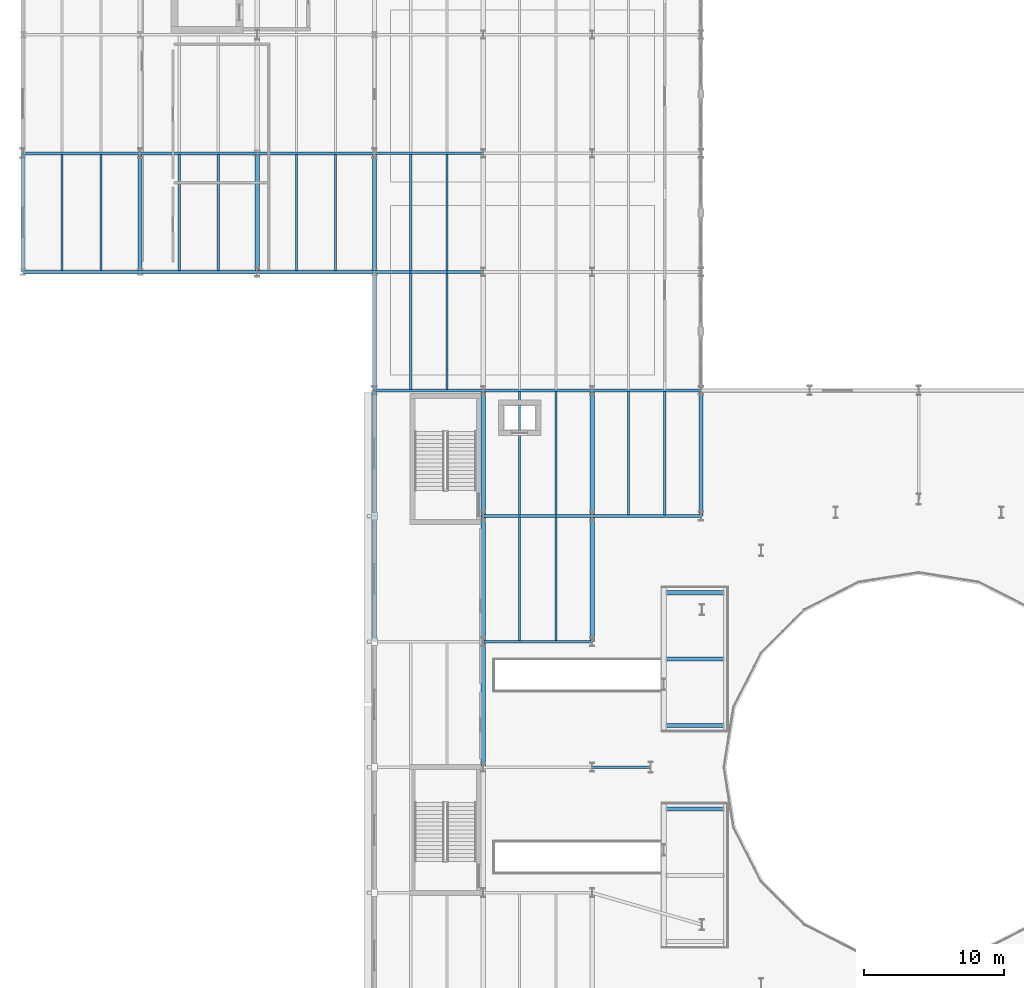
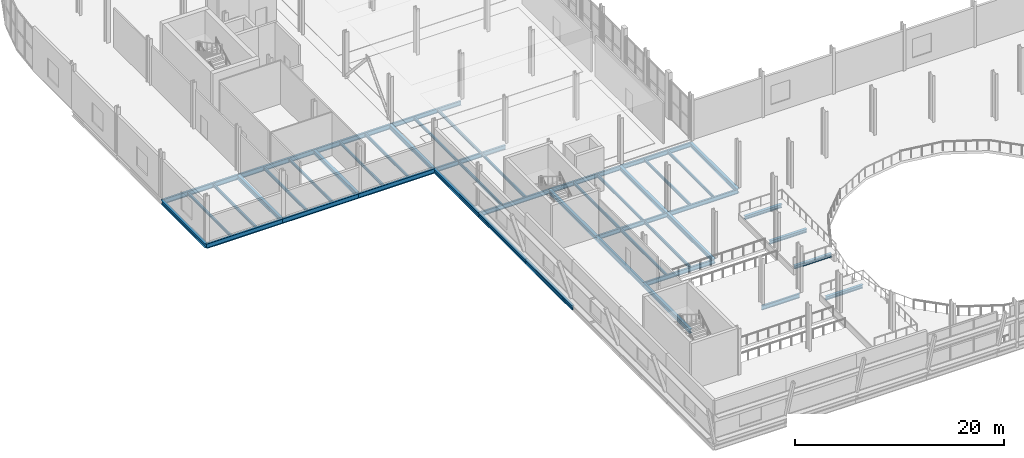
# One storey, part 18 of 78: 48 beams.
"""IFC4 building model written with IfcOpenShell, lengths in metres."""

from ifc_helpers import new_model, si_unit, direction, frame, origin, origin_2d, place, context, subcontext, project, spatial, i_section, extrude, material, material_profile, profile_set, type_object, element, save


model = new_model("IFC4")

# Units and contexts
model_context = context("Model", 3, precision=1e-05, world=origin(), true_north=direction((0.0, 1.0)))
body_context = subcontext(model_context, "Body", "Model", "MODEL_VIEW")
ifc_project = project(units=[si_unit("LENGTHUNIT", "METRE"), si_unit("AREAUNIT", "SQUARE_METRE"), si_unit("VOLUMEUNIT", "CUBIC_METRE"), si_unit("PLANEANGLEUNIT", "RADIAN"), si_unit("MASSUNIT", "GRAM", prefix="KILO")], contexts=[model_context])

# Site, building, storey
site_placement = place(None, origin())
site = spatial("IfcSite", under=ifc_project, at=site_placement, CompositionType="ELEMENT")
building_placement = place(site_placement, origin())
building = spatial("IfcBuilding", under=site, at=building_placement, Name="Sefraquen Railside Congress Hotel", CompositionType="ELEMENT")
storey_placement = place(building_placement, frame((0.0, 0.0, 6.0)))
storey = spatial("IfcBuildingStorey", under=building, at=storey_placement, Name="L01", CompositionType="ELEMENT", Elevation=6.0)

# Beams
ifc_material = material(Name="Steel S355JR", Category="steel")
ifc_material_profile_1 = material_profile(ifc_material, i_section(OverallWidth=0.300048828125, OverallDepth=0.389892578125, WebThickness=0.010986328125, FlangeThickness=0.01904296875, FilletRadius=0.027099609375, at=origin_2d()), Name="HEA 400")
ifc_profile_set_1 = profile_set([ifc_material_profile_1], Name="Steel S355JR")
beam_type_1 = type_object("IfcBeamType", Name="TB-BM-400", PredefinedType="BEAM", material=ifc_profile_set_1)
for number, where, z_axis, x_axis, name in (
    (1, (46.125, 24.0, 0.544921875), (1.0, 0.0, 0.0), (0.0, 1.0, 0.0), "Congress Upper Tier RAKER beam L01-01B"),
    (2, (46.125, 30.0, 0.544921875), (1.0, 0.0, 0.0), (0.0, 1.0, 0.0), "Congress Upper Tier RAKER beam L01-02A"),
    (3, (46.125, 34.75, 0.544921875), (1.0, 0.0, 0.0), (0.0, 1.0, 0.0), "Congress Upper Tier RAKER beam L01-02M"),
    (4, (46.125, 39.5, 0.544921875), (1.0, 0.0, 0.0), (0.0, 1.0, 0.0), "Congress Upper Tier RAKER beam L01-02B"),
):
    element("IfcBeam", number, at=place(storey_placement, frame(where, z_axis=z_axis, x_axis=x_axis)), inside=storey, type_object=beam_type_1, Name=name, PredefinedType="BEAM", context=body_context, shape_type="SweptSolid", body=[
        extrude(i_section(OverallWidth=0.300048828125, OverallDepth=0.389892578125, WebThickness=0.010986328125, FlangeThickness=0.01904296875, FilletRadius=0.027099609375, at=origin_2d()), origin(), (0.0, 0.0, 1.0), 4.10009765625),
    ])
ifc_material_profile_2 = material_profile(ifc_material, i_section(OverallWidth=0.199951171875, OverallDepth=0.5, WebThickness=0.01025390625, FlangeThickness=0.01611328125, FilletRadius=0.02099609375, at=origin_2d()), Name="IPE 500")
ifc_profile_set_2 = profile_set([ifc_material_profile_2], Name="Steel S355JR")
beam_type_2 = type_object("IfcBeamType", Name="TB-BM-500", PredefinedType="BEAM", material=ifc_profile_set_2)
beam_1_placement = place(storey_placement, frame((40.800048828125, 27.0, -0.550048828125), z_axis=(1.0, 0.0, 0.0), x_axis=(0.0, 1.0, 0.0)))
element("IfcBeam", 5, at=beam_1_placement, inside=storey, type_object=beam_type_2, Name="Primary girder BM-L01-0367", PredefinedType="BEAM", context=body_context, shape_type="SweptSolid", body=[
    extrude(i_section(OverallWidth=0.199951171875, OverallDepth=0.5, WebThickness=0.01025390625, FlangeThickness=0.01611328125, FilletRadius=0.02099609375, at=origin_2d()), origin(), (0.0, 0.0, 1.0), 4.199951171875),
])
for number, where, z_axis, x_axis, name in (
    (6, (33.0, 36.0, -0.550048828125), (1.0, 0.0, 0.0), (0.0, 1.0, 0.0), "Primary girder BM-L01-0373"),
    (7, (33.0, 45.0, -0.550048828125), (1.0, 0.0, 0.0), (0.0, 1.0, 0.0), "Primary girder BM-L01-0382"),
    (8, (40.800048828125, 45.0, -0.550048828125), (1.0, 0.0, 0.0), (0.0, 1.0, 0.0), "Primary girder BM-L01-0383"),
    (9, (25.199951171875, 54.0, -0.550048828125), (1.0, 0.0, 0.0), (0.0, 1.0, 0.0), "Primary girder BM-L01-0392"),
    (10, (33.0, 54.0, -0.550048828125), (1.0, 0.0, 0.0), (0.0, 1.0, 0.0), "Primary girder BM-L01-0393"),
    (11, (40.800048828125, 54.0, -0.550048828125), (1.0, 0.0, 0.0), (0.0, 1.0, 0.0), "Primary girder BM-L01-0394"),
    (12, (25.199951171875, 62.5, -0.550048828125), (1.0, 0.0, 0.0), (0.0, 1.0, 0.0), "Primary girder BM-L01-0413"),
    (13, (25.199951171875, 71.0, -0.550048828125), (1.0, 0.0, 0.0), (0.0, 1.0, 0.0), "Primary girder BM-L01-0422"),
):
    element("IfcBeam", number, at=place(storey_placement, frame(where, z_axis=z_axis, x_axis=x_axis)), inside=storey, type_object=beam_type_2, Name=name, PredefinedType="BEAM", context=body_context, shape_type="SweptSolid", body=[
        extrude(i_section(OverallWidth=0.199951171875, OverallDepth=0.5, WebThickness=0.01025390625, FlangeThickness=0.01611328125, FilletRadius=0.02099609375, at=origin_2d()), origin(), (0.0, 0.0, 1.0), 7.800048828125),
    ])
ifc_material_profile_3 = material_profile(ifc_material, i_section(OverallWidth=0.300048828125, OverallDepth=0.489990234375, WebThickness=0.011962890625, FlangeThickness=0.02294921875, FilletRadius=0.027099609375, at=origin_2d()), Name="HEA 500")
ifc_profile_set_3 = profile_set([ifc_material_profile_3], Name="Steel S355JR")
beam_type_3 = type_object("IfcBeamType", Name="TB-GIR-500", PredefinedType="T_BEAM", material=ifc_profile_set_3)
for number, where, z_axis, x_axis, name in (
    (14, (0.0, 62.5, -0.544921875), (0.0, 1.0, 0.0), (-1.0, 0.0, 0.0), "Floor beam BM-L01-0507"),
    (15, (8.39990234375, 62.5, -0.544921875), (0.0, 1.0, 0.0), (-1.0, 0.0, 0.0), "Floor beam BM-L01-0510"),
    (16, (16.800048828125, 62.5, -0.544921875), (0.0, 1.0, 0.0), (-1.0, 0.0, 0.0), "Floor beam BM-L01-0516"),
):
    element("IfcBeam", number, at=place(storey_placement, frame(where, z_axis=z_axis, x_axis=x_axis)), inside=storey, type_object=beam_type_3, Name=name, PredefinedType="T_BEAM", context=body_context, shape_type="SweptSolid", body=[
        extrude(i_section(OverallWidth=0.300048828125, OverallDepth=0.489990234375, WebThickness=0.011962890625, FlangeThickness=0.02294921875, FilletRadius=0.027099609375, at=origin_2d()), origin(), (0.0, 0.0, 1.0), 8.5),
    ])
for number, where, z_axis, x_axis, name in (
    (17, (25.199951171875, 36.0, -0.544921875), (0.0, 1.0, 0.0), (-1.0, 0.0, 0.0), "Floor beam BM-L01-0525"),
    (18, (25.199951171875, 45.0, -0.544921875), (0.0, 1.0, 0.0), (-1.0, 0.0, 0.0), "Floor beam BM-L01-0526"),
):
    element("IfcBeam", number, at=place(storey_placement, frame(where, z_axis=z_axis, x_axis=x_axis)), inside=storey, type_object=beam_type_3, Name=name, PredefinedType="T_BEAM", context=body_context, shape_type="SweptSolid", body=[
        extrude(i_section(OverallWidth=0.300048828125, OverallDepth=0.489990234375, WebThickness=0.011962890625, FlangeThickness=0.02294921875, FilletRadius=0.027099609375, at=origin_2d()), origin(), (0.0, 0.0, 1.0), 9.0),
    ])
for number, where, z_axis, x_axis, name in (
    (19, (25.199951171875, 54.0, -0.544921875), (0.0, 1.0, 0.0), (-1.0, 0.0, 0.0), "Floor beam BM-L01-0527"),
    (20, (25.199951171875, 62.5, -0.544921875), (0.0, 1.0, 0.0), (-1.0, 0.0, 0.0), "Floor beam BM-L01-0528"),
):
    element("IfcBeam", number, at=place(storey_placement, frame(where, z_axis=z_axis, x_axis=x_axis)), inside=storey, type_object=beam_type_3, Name=name, PredefinedType="T_BEAM", context=body_context, shape_type="SweptSolid", body=[
        extrude(i_section(OverallWidth=0.300048828125, OverallDepth=0.489990234375, WebThickness=0.011962890625, FlangeThickness=0.02294921875, FilletRadius=0.027099609375, at=origin_2d()), origin(), (0.0, 0.0, 1.0), 8.5),
    ])
for number, where, z_axis, x_axis, name in (
    (21, (33.0, 27.0, -0.544921875), (0.0, 1.0, 0.0), (-1.0, 0.0, 0.0), "Floor beam BM-L01-0537"),
    (22, (33.0, 36.0, -0.544921875), (0.0, 1.0, 0.0), (-1.0, 0.0, 0.0), "Floor beam BM-L01-0538"),
    (23, (33.0, 45.0, -0.544921875), (0.0, 1.0, 0.0), (-1.0, 0.0, 0.0), "Floor beam BM-L01-0539"),
    (24, (40.800048828125, 36.0, -0.544921875), (0.0, 1.0, 0.0), (-1.0, 0.0, 0.0), "Floor beam BM-L01-0549"),
    (25, (40.800048828125, 45.0, -0.544921875), (0.0, 1.0, 0.0), (-1.0, 0.0, 0.0), "Floor beam BM-L01-0550"),
    (26, (48.60009765625, 45.0, -0.544921875), (0.0, 1.0, 0.0), (-1.0, 0.0, 0.0), "Floor beam BM-L01-0559"),
):
    element("IfcBeam", number, at=place(storey_placement, frame(where, z_axis=z_axis, x_axis=x_axis)), inside=storey, type_object=beam_type_3, Name=name, PredefinedType="T_BEAM", context=body_context, shape_type="SweptSolid", body=[
        extrude(i_section(OverallWidth=0.300048828125, OverallDepth=0.489990234375, WebThickness=0.011962890625, FlangeThickness=0.02294921875, FilletRadius=0.027099609375, at=origin_2d()), origin(), (0.0, 0.0, 1.0), 9.0),
    ])
ifc_material_profile_4 = material_profile(ifc_material, i_section(OverallWidth=0.2099609375, OverallDepth=0.550048828125, WebThickness=0.010986328125, FlangeThickness=0.01708984375, FilletRadius=0.02392578125, at=origin_2d()), Name="IPE 550")
ifc_profile_set_4 = profile_set([ifc_material_profile_4], Name="Steel S355JR")
beam_type_4 = type_object("IfcBeamType", Name="TB-GIR-550", PredefinedType="T_BEAM", material=ifc_profile_set_4)
beam_2_placement = place(storey_placement, frame((0.0, 62.5, -0.574951171875), z_axis=(1.0, 0.0, 0.0), x_axis=(0.0, 1.0, 0.0)))
element("IfcBeam", 27, at=beam_2_placement, inside=storey, type_object=beam_type_4, Name="Primary girder BM-L01-0410", PredefinedType="T_BEAM", context=body_context, shape_type="SweptSolid", body=[
    extrude(i_section(OverallWidth=0.2099609375, OverallDepth=0.550048828125, WebThickness=0.010986328125, FlangeThickness=0.01708984375, FilletRadius=0.02392578125, at=origin_2d()), origin(), (0.0, 0.0, 1.0), 8.39990234375),
])
beam_3_placement = place(storey_placement, frame((8.39990234375, 62.5, -0.574951171875), z_axis=(1.0, 0.0, 0.0), x_axis=(0.0, 1.0, 0.0)))
element("IfcBeam", 28, at=beam_3_placement, inside=storey, type_object=beam_type_4, Name="Primary girder BM-L01-0411", PredefinedType="T_BEAM", context=body_context, shape_type="SweptSolid", body=[
    extrude(i_section(OverallWidth=0.2099609375, OverallDepth=0.550048828125, WebThickness=0.010986328125, FlangeThickness=0.01708984375, FilletRadius=0.02392578125, at=origin_2d()), origin(), (0.0, 0.0, 1.0), 8.400146484375),
])
for number, where, z_axis, x_axis, name in (
    (29, (16.800048828125, 62.5, -0.574951171875), (1.0, 0.0, 0.0), (0.0, 1.0, 0.0), "Primary girder BM-L01-0412"),
    (30, (0.0, 71.0, -0.574951171875), (1.0, 0.0, 0.0), (0.0, 1.0, 0.0), "Primary girder BM-L01-0419"),
):
    element("IfcBeam", number, at=place(storey_placement, frame(where, z_axis=z_axis, x_axis=x_axis)), inside=storey, type_object=beam_type_4, Name=name, PredefinedType="T_BEAM", context=body_context, shape_type="SweptSolid", body=[
        extrude(i_section(OverallWidth=0.2099609375, OverallDepth=0.550048828125, WebThickness=0.010986328125, FlangeThickness=0.01708984375, FilletRadius=0.02392578125, at=origin_2d()), origin(), (0.0, 0.0, 1.0), 8.39990234375),
    ])
beam_4_placement = place(storey_placement, frame((8.39990234375, 71.0, -0.574951171875), z_axis=(1.0, 0.0, 0.0), x_axis=(0.0, 1.0, 0.0)))
element("IfcBeam", 31, at=beam_4_placement, inside=storey, type_object=beam_type_4, Name="Primary girder BM-L01-0420", PredefinedType="T_BEAM", context=body_context, shape_type="SweptSolid", body=[
    extrude(i_section(OverallWidth=0.2099609375, OverallDepth=0.550048828125, WebThickness=0.010986328125, FlangeThickness=0.01708984375, FilletRadius=0.02392578125, at=origin_2d()), origin(), (0.0, 0.0, 1.0), 8.400146484375),
])
beam_5_placement = place(storey_placement, frame((16.800048828125, 71.0, -0.574951171875), z_axis=(1.0, 0.0, 0.0), x_axis=(0.0, 1.0, 0.0)))
element("IfcBeam", 32, at=beam_5_placement, inside=storey, type_object=beam_type_4, Name="Primary girder BM-L01-0421", PredefinedType="T_BEAM", context=body_context, shape_type="SweptSolid", body=[
    extrude(i_section(OverallWidth=0.2099609375, OverallDepth=0.550048828125, WebThickness=0.010986328125, FlangeThickness=0.01708984375, FilletRadius=0.02392578125, at=origin_2d()), origin(), (0.0, 0.0, 1.0), 8.39990234375),
])
ifc_material_profile_5 = material_profile(ifc_material, i_section(OverallWidth=0.159912109375, OverallDepth=0.330078125, WebThickness=0.007568359375, FlangeThickness=0.011474609375, FilletRadius=0.01806640625, at=origin_2d()), Name="IPE 330")
ifc_profile_set_5 = profile_set([ifc_material_profile_5], Name="Steel S355JR")
beam_type_5 = type_object("IfcBeamType", Name="TB-JST-330", PredefinedType="JOIST", material=ifc_profile_set_5)
for number, where, z_axis, x_axis, name in (
    (33, (2.800048828125, 62.5849609375, -0.465087890625), (0.0, 1.0, 0.0), (-1.0, 0.0, 0.0), "Composite floor joist BM-L01-J0203"),
    (34, (5.60009765625, 62.5849609375, -0.465087890625), (0.0, 1.0, 0.0), (-1.0, 0.0, 0.0), "Composite floor joist BM-L01-J0204"),
    (35, (11.199951171875, 62.5849609375, -0.465087890625), (0.0, 1.0, 0.0), (-1.0, 0.0, 0.0), "Composite floor joist BM-L01-J0209"),
    (36, (14.0, 62.5849609375, -0.465087890625), (0.0, 1.0, 0.0), (-1.0, 0.0, 0.0), "Composite floor joist BM-L01-J0210"),
    (37, (19.60009765625, 62.5849609375, -0.465087890625), (0.0, 1.0, 0.0), (-1.0, 0.0, 0.0), "Composite floor joist BM-L01-J0217"),
    (38, (22.39990234375, 62.5849609375, -0.465087890625), (0.0, 1.0, 0.0), (-1.0, 0.0, 0.0), "Composite floor joist BM-L01-J0218"),
):
    element("IfcBeam", number, at=place(storey_placement, frame(where, z_axis=z_axis, x_axis=x_axis)), inside=storey, type_object=beam_type_5, Name=name, PredefinedType="JOIST", context=body_context, shape_type="SweptSolid", body=[
        extrude(i_section(OverallWidth=0.159912109375, OverallDepth=0.330078125, WebThickness=0.007568359375, FlangeThickness=0.011474609375, FilletRadius=0.01806640625, at=origin_2d()), origin(), (0.0, 0.0, 1.0), 8.330078125),
    ])
for number, where, z_axis, x_axis, name in (
    (39, (27.800048828125, 54.080078125, -0.465087890625), (0.0, 1.0, 0.0), (-1.0, 0.0, 0.0), "Composite floor joist BM-L01-J0234"),
    (40, (30.39990234375, 54.080078125, -0.465087890625), (0.0, 1.0, 0.0), (-1.0, 0.0, 0.0), "Composite floor joist BM-L01-J0235"),
    (41, (27.800048828125, 62.580078125, -0.465087890625), (0.0, 1.0, 0.0), (-1.0, 0.0, 0.0), "Composite floor joist BM-L01-J0236"),
    (42, (30.39990234375, 62.580078125, -0.465087890625), (0.0, 1.0, 0.0), (-1.0, 0.0, 0.0), "Composite floor joist BM-L01-J0237"),
):
    element("IfcBeam", number, at=place(storey_placement, frame(where, z_axis=z_axis, x_axis=x_axis)), inside=storey, type_object=beam_type_5, Name=name, PredefinedType="JOIST", context=body_context, shape_type="SweptSolid", body=[
        extrude(i_section(OverallWidth=0.159912109375, OverallDepth=0.330078125, WebThickness=0.007568359375, FlangeThickness=0.011474609375, FilletRadius=0.01806640625, at=origin_2d()), origin(), (0.0, 0.0, 1.0), 8.33984375),
    ])
for number, where, z_axis, x_axis, name in (
    (43, (35.60009765625, 36.080078125, -0.465087890625), (0.0, 1.0, 0.0), (-1.0, 0.0, 0.0), "Composite floor joist BM-L01-J0248"),
    (44, (38.199951171875, 36.080078125, -0.465087890625), (0.0, 1.0, 0.0), (-1.0, 0.0, 0.0), "Composite floor joist BM-L01-J0249"),
    (45, (35.60009765625, 45.080078125, -0.465087890625), (0.0, 1.0, 0.0), (-1.0, 0.0, 0.0), "Composite floor joist BM-L01-J0250"),
    (46, (38.199951171875, 45.080078125, -0.465087890625), (0.0, 1.0, 0.0), (-1.0, 0.0, 0.0), "Composite floor joist BM-L01-J0251"),
    (47, (43.39990234375, 45.080078125, -0.465087890625), (0.0, 1.0, 0.0), (-1.0, 0.0, 0.0), "Composite floor joist BM-L01-J0268"),
    (48, (46.0, 45.080078125, -0.465087890625), (0.0, 1.0, 0.0), (-1.0, 0.0, 0.0), "Composite floor joist BM-L01-J0269"),
):
    element("IfcBeam", number, at=place(storey_placement, frame(where, z_axis=z_axis, x_axis=x_axis)), inside=storey, type_object=beam_type_5, Name=name, PredefinedType="JOIST", context=body_context, shape_type="SweptSolid", body=[
        extrude(i_section(OverallWidth=0.159912109375, OverallDepth=0.330078125, WebThickness=0.007568359375, FlangeThickness=0.011474609375, FilletRadius=0.01806640625, at=origin_2d()), origin(), (0.0, 0.0, 1.0), 8.83984375),
    ])

save(model, "model.ifc")
